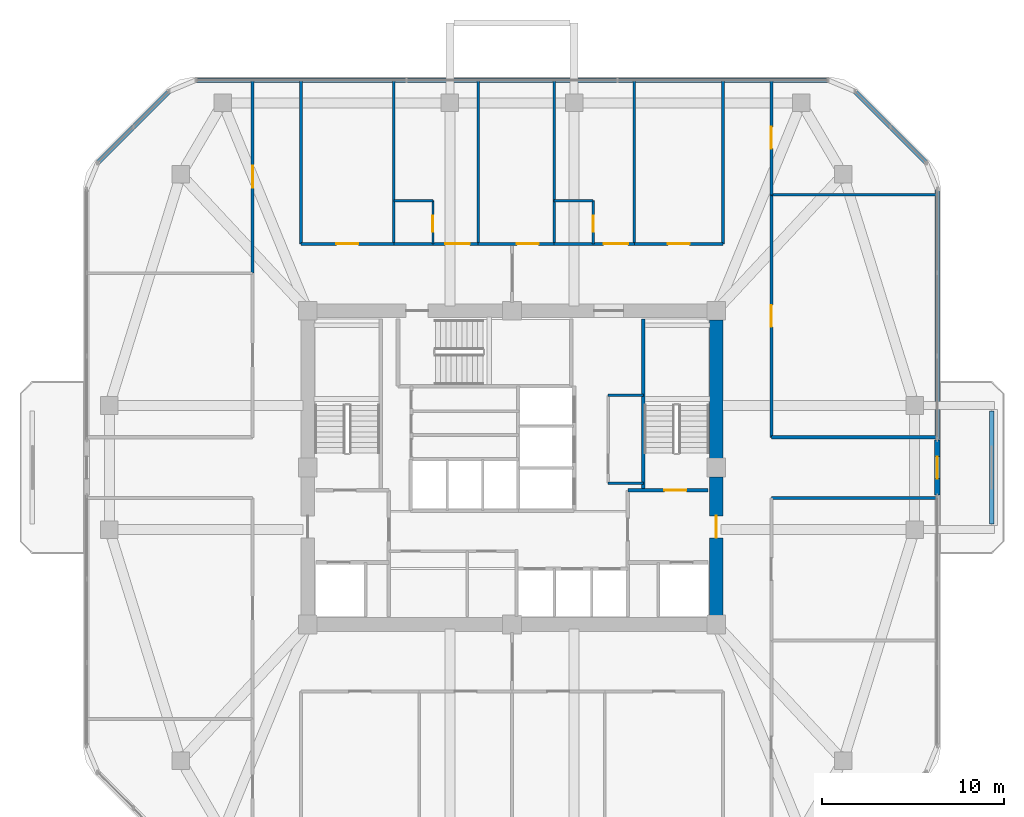
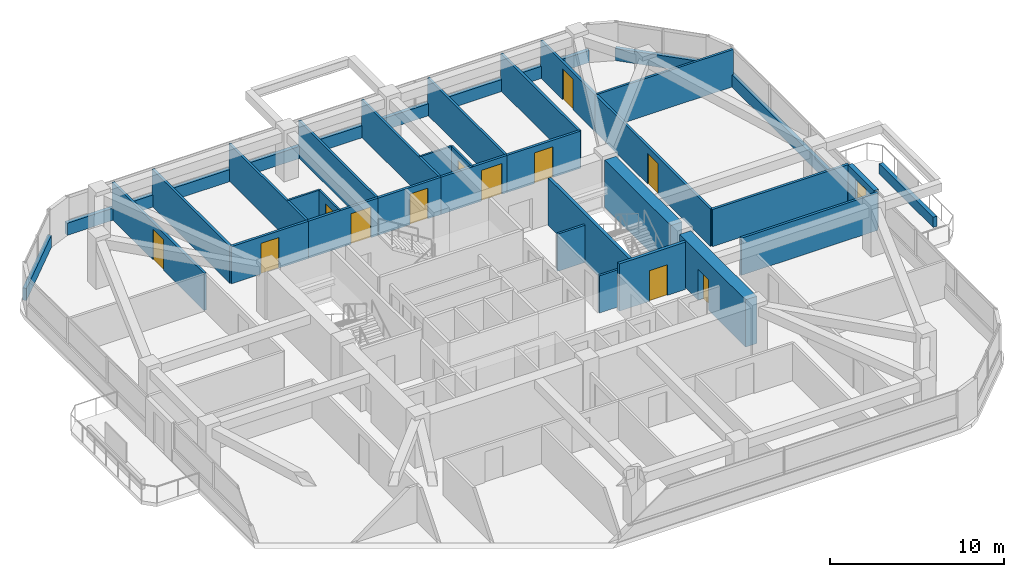
# One storey, part 10 of 13: 33 walls, 13 doors, 13 openings.
"""IFC4 building model written with IfcOpenShell, lengths in metres."""

from ifc_helpers import new_model, si_unit, derived_unit, direction, frame, frame_2d, origin, place, context, subcontext, project, spatial, rectangle, extrude, material, layer, layer_set, type_object, element, fill, save


model = new_model("IFC4")

# Units and contexts
model_context = context("Model", 3, precision=1e-05, world=origin(), true_north=direction((0.0, 1.0)))
body_context = subcontext(model_context, "Body", "Model", "MODEL_VIEW")
ifc_project = project(units=[si_unit("LENGTHUNIT", "METRE"), si_unit("AREAUNIT", "SQUARE_METRE"), si_unit("VOLUMEUNIT", "CUBIC_METRE"), si_unit("PLANEANGLEUNIT", "RADIAN"), si_unit("MASSUNIT", "GRAM", prefix="KILO"), derived_unit("THERMALTRANSMITTANCEUNIT", [(si_unit("POWERUNIT", "WATT"), 1), (si_unit("LENGTHUNIT", "METRE"), -2), (si_unit("THERMODYNAMICTEMPERATUREUNIT", "KELVIN"), -1)])], contexts=[model_context])

# Site, building, storey
site_placement = place(None, origin())
site = spatial("IfcSite", under=ifc_project, at=site_placement, CompositionType="ELEMENT")
building_placement = place(site_placement, origin())
building = spatial("IfcBuilding", under=site, at=building_placement, Name="Koralith Skygarden Medical Center", CompositionType="ELEMENT")
storey_placement = place(building_placement, frame((0.0, 0.0, 142.02001953125)))
storey = spatial("IfcBuildingStorey", under=building, at=storey_placement, Name="L36", CompositionType="ELEMENT", Elevation=142.02001953125)

# Walls
ifc_material_1 = material(Name="Gypsum Board Partition")
ifc_layer_1 = layer(ifc_material_1, 0.14990234375)
ifc_layer_set_1 = layer_set([ifc_layer_1], Name="Gypsum Board Partition")
wall_type_1 = type_object("IfcWallType", Name="Clinical Acoustic Partition 150", PredefinedType="PARTITIONING", material=ifc_layer_set_1)
for number, where, z_axis, x_axis, name in (
    (1, (42.27001953125, 25.0400390625, 0.0), (0.0, 0.0, 1.0), (1.0, 0.0, 0.0), "L36 Clinical Acoustic Partition 150 W-CORE-L36-ESUB-S"),
    (2, (42.27001953125, 29.860107421875, 0.0), (0.0, 0.0, 1.0), (1.0, 0.0, 0.0), "L36 Clinical Acoustic Partition 150 W-CORE-L36-ESUB-N"),
):
    element("IfcWall", number, at=place(storey_placement, frame(where, z_axis=z_axis, x_axis=x_axis)), inside=storey, type_object=wall_type_1, Name=name, PredefinedType="PARTITIONING", context=body_context, shape_type="SweptSolid", body=[
        extrude(rectangle(XDim=1.929931640625, YDim=0.14990234375, at=frame_2d((0.96484375, 0.0))), origin(), (0.0, 0.0, 1.0), 2.60986328125),
    ])
for number, where, z_axis, x_axis, name in (
    (3, (30.52587890625, 38.159912109375, 0.0), (0.0, 0.0, 1.0), (0.0, 1.0, 0.0), "L36 Clinical Acoustic Partition 150 W-PART-L36-N-01"),
    (4, (35.14990234375, 38.159912109375, 0.0), (0.0, 0.0, 1.0), (0.0, 1.0, 0.0), "L36 Clinical Acoustic Partition 150 W-PART-L36-N-02"),
    (5, (39.31201171875, 38.159912109375, 0.0), (0.0, 0.0, 1.0), (0.0, 1.0, 0.0), "L36 Clinical Acoustic Partition 150 W-PART-L36-N-03"),
    (6, (43.705078125, 38.159912109375, 0.0), (0.0, 0.0, 1.0), (0.0, 1.0, 0.0), "L36 Clinical Acoustic Partition 150 W-PART-L36-N-04"),
):
    element("IfcWall", number, at=place(storey_placement, frame(where, z_axis=z_axis, x_axis=x_axis)), inside=storey, type_object=wall_type_1, Name=name, PredefinedType="PARTITIONING", context=body_context, shape_type="SweptSolid", body=[
        extrude(rectangle(XDim=8.940185546875, YDim=0.14990234375, at=frame_2d((4.47021484375, 0.0))), origin(), (0.0, 0.0, 1.0), 2.60986328125),
    ])
wall_1_placement = place(storey_placement, frame((51.2099609375, 40.846923828125, 0.0), z_axis=(0.0, 0.0, 1.0), x_axis=(1.0, 0.0, 0.0)))
element("IfcWall", 7, at=wall_1_placement, inside=storey, type_object=wall_type_1, Name="L36 Clinical Acoustic Partition 150 W-PART-L36-EN-01", PredefinedType="PARTITIONING", context=body_context, shape_type="SweptSolid", body=[
    extrude(rectangle(XDim=9.073974609375, YDim=0.14990234375, at=frame_2d((4.537109375, 0.0))), origin(), (0.0, 0.0, 1.0), 2.60986328125),
])
ifc_layer_2 = layer(ifc_material_1, 0.1650390625)
ifc_layer_set_2 = layer_set([ifc_layer_2], Name="Gypsum Board Partition")
wall_type_2 = type_object("IfcWallType", Name="Clinical Corridor Partition 165", PredefinedType="PARTITIONING", material=ifc_layer_set_2)
for number, where, z_axis, x_axis, name in (
    (8, (25.429931640625, 38.159912109375, 0.0), (0.0, 0.0, 1.0), (0.0, 1.0, 0.0), "L36 Clinical Corridor Partition 165 W-HCOR-L36-NW"),
    (9, (48.570068359375, 38.159912109375, 0.0), (0.0, 0.0, 1.0), (0.0, 1.0, 0.0), "L36 Clinical Corridor Partition 165 W-HCOR-L36-NE"),
):
    element("IfcWall", number, at=place(storey_placement, frame(where, z_axis=z_axis, x_axis=x_axis)), inside=storey, type_object=wall_type_2, Name=name, PredefinedType="PARTITIONING", context=body_context, shape_type="SweptSolid", body=[
        extrude(rectangle(XDim=8.940185546875, YDim=0.1650390625, at=frame_2d((4.47021484375, 0.0))), origin(), (0.0, 0.0, 1.0), 2.60986328125),
    ])
for number, where, z_axis, x_axis, name in (
    (10, (51.2099609375, 24.239990234375, 0.0), (0.0, 0.0, 1.0), (1.0, 0.0, 0.0), "L36 Clinical Corridor Partition 165 W-HCOR-L36-EWS-E"),
    (11, (51.2099609375, 27.56005859375, 0.0), (0.0, 0.0, 1.0), (1.0, 0.0, 0.0), "L36 Clinical Corridor Partition 165 W-HCOR-L36-EWN-E"),
):
    element("IfcWall", number, at=place(storey_placement, frame(where, z_axis=z_axis, x_axis=x_axis)), inside=storey, type_object=wall_type_2, Name=name, PredefinedType="PARTITIONING", context=body_context, shape_type="SweptSolid", body=[
        extrude(rectangle(XDim=9.073974609375, YDim=0.1650390625, at=frame_2d((4.537109375, 0.0))), origin(), (0.0, 0.0, 1.0), 2.60986328125),
    ])

# Wall, opening, door
wall_2_placement = place(storey_placement, frame((25.429931640625, 38.159912109375, 0.0), z_axis=(0.0, 0.0, 1.0), x_axis=(1.0, 0.0, 0.0)))
wall_2 = element("IfcWall", 12, at=wall_2_placement, inside=storey, type_object=wall_type_2, Name="L36 Clinical Corridor Partition 165 W-CORR-L36-N-01", PredefinedType="PARTITIONING", context=body_context, shape_type="SweptSolid", body=[
    extrude(rectangle(XDim=5.095947265625, YDim=0.1650390625, at=frame_2d((2.5478515625, 0.0))), origin(), (0.0, 0.0, 1.0), 2.60986328125),
])
opening_1_placement = place(wall_2_placement, frame((1.947998046875, 0.0, 0.0)))
opening_1 = element("IfcOpeningElement", 13, at=opening_1_placement, cuts=wall_2, Name="Opening D-CLN", PredefinedType="OPENING", context=body_context, shape_type="SweptSolid", body=[
    extrude(rectangle(XDim=1.199951171875, YDim=2.14990234375, at=frame_2d((0.60009765625, 1.074951171875))), frame((0.0, 0.092529296875, 0.0), z_axis=(0.0, -1.0, 0.0), x_axis=(1.0, 0.0, 0.0)), (0.0, 0.0, 1.0), 0.18505859375),
])
ifc_material_2 = material(Name="Aluminium 6063-T6", Category="aluminium")
door_type_1 = type_object("IfcDoorType", Name="Clinical Corridor Door D-CLN 1200", OperationType="NOTDEFINED", PredefinedType="DOOR", material=ifc_material_2)
door_1_placement = place(opening_1_placement, origin())
door_1 = element("IfcDoor", 14, at=door_1_placement, inside=storey, type_object=door_type_1, Name="L36 Procedure and Minor Treatment Room 01 Door", OperationType="SINGLE_SWING_RIGHT", OverallHeight=2.14990234375, OverallWidth=1.199951171875, PredefinedType="DOOR", context=body_context, shape_type="SweptSolid", body=[
    extrude(rectangle(XDim=1.199951171875, YDim=2.14990234375, at=frame_2d((0.60009765625, 1.074951171875))), frame((0.0, 0.02490234375, 0.0), z_axis=(0.0, -1.0, 0.0), x_axis=(1.0, 0.0, 0.0)), (0.0, 0.0, 1.0), 0.050048828125),
])
fill(opening_1, door_1)

wall_3_placement = place(storey_placement, frame((30.52587890625, 38.159912109375, 0.0), z_axis=(0.0, 0.0, 1.0), x_axis=(1.0, 0.0, 0.0)))
wall_3 = element("IfcWall", 15, at=wall_3_placement, inside=storey, type_object=wall_type_2, Name="L36 Clinical Corridor Partition 165 W-CORR-L36-N-02", PredefinedType="PARTITIONING", context=body_context, shape_type="SweptSolid", body=[
    extrude(rectangle(XDim=4.6240234375, YDim=0.1650390625, at=frame_2d((2.31201171875, 0.0))), origin(), (0.0, 0.0, 1.0), 2.60986328125),
])
opening_2_placement = place(wall_3_placement, frame((2.81005859375, 0.0, 0.0)))
opening_2 = element("IfcOpeningElement", 16, at=opening_2_placement, cuts=wall_3, Name="Opening D-BED", PredefinedType="OPENING", context=body_context, shape_type="SweptSolid", body=[
    extrude(rectangle(XDim=1.35009765625, YDim=2.14990234375, at=frame_2d((0.675048828125, 1.074951171875))), frame((0.0, 0.092529296875, 0.0), z_axis=(0.0, -1.0, 0.0), x_axis=(1.0, 0.0, 0.0)), (0.0, 0.0, 1.0), 0.18505859375),
])
door_type_2 = type_object("IfcDoorType", Name="Inpatient Bed Leaf Door D-BED 1350", OperationType="NOTDEFINED", PredefinedType="DOOR", material=ifc_material_2)
door_2_placement = place(opening_2_placement, origin())
door_2 = element("IfcDoor", 17, at=door_2_placement, inside=storey, type_object=door_type_2, Name="L36 Inpatient Bedroom 02 Door", OperationType="SINGLE_SWING_LEFT", OverallHeight=2.14990234375, OverallWidth=1.35009765625, PredefinedType="DOOR", context=body_context, shape_type="SweptSolid", body=[
    extrude(rectangle(XDim=1.35009765625, YDim=2.14990234375, at=frame_2d((0.675048828125, 1.074951171875))), frame((0.0, 0.02490234375, 0.0), z_axis=(0.0, -1.0, 0.0), x_axis=(1.0, 0.0, 0.0)), (0.0, 0.0, 1.0), 0.050048828125),
])
fill(opening_2, door_2)

wall_4_placement = place(storey_placement, frame((35.14990234375, 38.159912109375, 0.0), z_axis=(0.0, 0.0, 1.0), x_axis=(1.0, 0.0, 0.0)))
wall_4 = element("IfcWall", 18, at=wall_4_placement, inside=storey, type_object=wall_type_2, Name="L36 Clinical Corridor Partition 165 W-CORR-L36-N-03", PredefinedType="PARTITIONING", context=body_context, shape_type="SweptSolid", body=[
    extrude(rectangle(XDim=4.162109375, YDim=0.1650390625, at=frame_2d((2.0810546875, 0.0))), origin(), (0.0, 0.0, 1.0), 2.60986328125),
])
opening_3_placement = place(wall_4_placement, frame((2.114990234375, 0.0, 0.0)))
opening_3 = element("IfcOpeningElement", 19, at=opening_3_placement, cuts=wall_4, Name="Opening D-CLN", PredefinedType="OPENING", context=body_context, shape_type="SweptSolid", body=[
    extrude(rectangle(XDim=1.199951171875, YDim=2.14990234375, at=frame_2d((0.60009765625, 1.074951171875))), frame((0.0, 0.092529296875, 0.0), z_axis=(0.0, -1.0, 0.0), x_axis=(1.0, 0.0, 0.0)), (0.0, 0.0, 1.0), 0.18505859375),
])
door_3_placement = place(opening_3_placement, origin())
door_3 = element("IfcDoor", 20, at=door_3_placement, inside=storey, type_object=door_type_1, Name="L36 Wound Care Treatment Room 03 Door", OperationType="SINGLE_SWING_RIGHT", OverallHeight=2.14990234375, OverallWidth=1.199951171875, PredefinedType="DOOR", context=body_context, shape_type="SweptSolid", body=[
    extrude(rectangle(XDim=1.199951171875, YDim=2.14990234375, at=frame_2d((0.60009765625, 1.074951171875))), frame((0.0, 0.02490234375, 0.0), z_axis=(0.0, -1.0, 0.0), x_axis=(1.0, 0.0, 0.0)), (0.0, 0.0, 1.0), 0.050048828125),
])
fill(opening_3, door_3)

wall_5_placement = place(storey_placement, frame((39.31201171875, 38.159912109375, 0.0), z_axis=(0.0, 0.0, 1.0), x_axis=(1.0, 0.0, 0.0)))
wall_5 = element("IfcWall", 21, at=wall_5_placement, inside=storey, type_object=wall_type_2, Name="L36 Clinical Corridor Partition 165 W-CORR-L36-N-04", PredefinedType="PARTITIONING", context=body_context, shape_type="SweptSolid", body=[
    extrude(rectangle(XDim=4.39306640625, YDim=0.1650390625, at=frame_2d((2.196533203125, 0.0))), origin(), (0.0, 0.0, 1.0), 2.60986328125),
])
opening_4_placement = place(wall_5_placement, frame((2.702880859375, 0.0, 0.0)))
opening_4 = element("IfcOpeningElement", 22, at=opening_4_placement, cuts=wall_5, Name="Opening D-BED", PredefinedType="OPENING", context=body_context, shape_type="SweptSolid", body=[
    extrude(rectangle(XDim=1.35009765625, YDim=2.14990234375, at=frame_2d((0.675048828125, 1.074951171875))), frame((0.0, 0.092529296875, 0.0), z_axis=(0.0, -1.0, 0.0), x_axis=(1.0, 0.0, 0.0)), (0.0, 0.0, 1.0), 0.18505859375),
])
door_4_placement = place(opening_4_placement, origin())
door_4 = element("IfcDoor", 23, at=door_4_placement, inside=storey, type_object=door_type_2, Name="L36 Inpatient Bedroom 04 Door", OperationType="SINGLE_SWING_LEFT", OverallHeight=2.14990234375, OverallWidth=1.35009765625, PredefinedType="DOOR", context=body_context, shape_type="SweptSolid", body=[
    extrude(rectangle(XDim=1.35009765625, YDim=2.14990234375, at=frame_2d((0.675048828125, 1.074951171875))), frame((0.0, 0.02490234375, 0.0), z_axis=(0.0, -1.0, 0.0), x_axis=(1.0, 0.0, 0.0)), (0.0, 0.0, 1.0), 0.050048828125),
])
fill(opening_4, door_4)

wall_6_placement = place(storey_placement, frame((43.705078125, 38.159912109375, 0.0), z_axis=(0.0, 0.0, 1.0), x_axis=(1.0, 0.0, 0.0)))
wall_6 = element("IfcWall", 24, at=wall_6_placement, inside=storey, type_object=wall_type_2, Name="L36 Clinical Corridor Partition 165 W-CORR-L36-N-05", PredefinedType="PARTITIONING", context=body_context, shape_type="SweptSolid", body=[
    extrude(rectangle(XDim=4.864990234375, YDim=0.1650390625, at=frame_2d((2.4326171875, 0.0))), origin(), (0.0, 0.0, 1.0), 2.60986328125),
])
opening_5_placement = place(wall_6_placement, frame((1.8330078125, 0.0, 0.0)))
opening_5 = element("IfcOpeningElement", 25, at=opening_5_placement, cuts=wall_6, Name="Opening D-CLN", PredefinedType="OPENING", context=body_context, shape_type="SweptSolid", body=[
    extrude(rectangle(XDim=1.199951171875, YDim=2.14990234375, at=frame_2d((0.60009765625, 1.074951171875))), frame((0.0, 0.092529296875, 0.0), z_axis=(0.0, -1.0, 0.0), x_axis=(1.0, 0.0, 0.0)), (0.0, 0.0, 1.0), 0.18505859375),
])
door_5_placement = place(opening_5_placement, origin())
door_5 = element("IfcDoor", 26, at=door_5_placement, inside=storey, type_object=door_type_1, Name="L36 Acute Nurse Station 05 Door", OperationType="SINGLE_SWING_RIGHT", OverallHeight=2.14990234375, OverallWidth=1.199951171875, PredefinedType="DOOR", context=body_context, shape_type="SweptSolid", body=[
    extrude(rectangle(XDim=1.199951171875, YDim=2.14990234375, at=frame_2d((0.60009765625, 1.074951171875))), frame((0.0, 0.02490234375, 0.0), z_axis=(0.0, -1.0, 0.0), x_axis=(1.0, 0.0, 0.0)), (0.0, 0.0, 1.0), 0.050048828125),
])
fill(opening_5, door_5)

wall_7_placement = place(storey_placement, frame((22.7900390625, 36.548095703125, 0.0), z_axis=(0.0, 0.0, 1.0), x_axis=(0.0, 1.0, 0.0)))
wall_7 = element("IfcWall", 27, at=wall_7_placement, inside=storey, type_object=wall_type_2, Name="L36 Clinical Corridor Partition 165 W-CORR-L36-WN-02", PredefinedType="PARTITIONING", context=body_context, shape_type="SweptSolid", body=[
    extrude(rectangle(XDim=10.552001953125, YDim=0.1650390625, at=frame_2d((5.27587890625, 0.0))), origin(), (0.0, 0.0, 1.0), 2.60986328125),
])
opening_6_placement = place(wall_7_placement, frame((4.676025390625, 0.0, 0.0)))
opening_6 = element("IfcOpeningElement", 28, at=opening_6_placement, cuts=wall_7, Name="Opening D-CLN", PredefinedType="OPENING", context=body_context, shape_type="SweptSolid", body=[
    extrude(rectangle(XDim=1.199951171875, YDim=2.14990234375, at=frame_2d((0.60009765625, 1.074951171875))), frame((0.0, 0.092529296875, 0.0), z_axis=(0.0, -1.0, 0.0), x_axis=(1.0, 0.0, 0.0)), (0.0, 0.0, 1.0), 0.18505859375),
])
door_6_placement = place(opening_6_placement, frame((1.199951171875, 0.0, 0.0), z_axis=(0.0, 0.0, 1.0), x_axis=(-1.0, 0.0, 0.0)))
door_6 = element("IfcDoor", 29, at=door_6_placement, inside=storey, type_object=door_type_1, Name="L36 Acute Nurse Station 13 Door", OperationType="SINGLE_SWING_RIGHT", OverallHeight=2.14990234375, OverallWidth=1.199951171875, PredefinedType="DOOR", context=body_context, shape_type="SweptSolid", body=[
    extrude(rectangle(XDim=1.199951171875, YDim=2.14990234375, at=frame_2d((0.60009765625, 1.074951171875))), frame((0.0, 0.02490234375, 0.0), z_axis=(0.0, -1.0, 0.0), x_axis=(1.0, 0.0, 0.0)), (0.0, 0.0, 1.0), 0.050048828125),
])
fill(opening_6, door_6)

wall_8_placement = place(storey_placement, frame((51.2099609375, 27.56005859375, 0.0), z_axis=(0.0, 0.0, 1.0), x_axis=(0.0, 1.0, 0.0)))
wall_8 = element("IfcWall", 30, at=wall_8_placement, inside=storey, type_object=wall_type_2, Name="L36 Clinical Corridor Partition 165 W-CORR-L36-EN-01", PredefinedType="PARTITIONING", context=body_context, shape_type="SweptSolid", body=[
    extrude(rectangle(XDim=13.286865234375, YDim=0.1650390625, at=frame_2d((6.6435546875, 0.0))), origin(), (0.0, 0.0, 1.0), 2.60986328125),
])
opening_7_placement = place(wall_8_placement, frame((6.0439453125, 0.0, 0.0)))
opening_7 = element("IfcOpeningElement", 31, at=opening_7_placement, cuts=wall_8, Name="Opening D-CLN", PredefinedType="OPENING", context=body_context, shape_type="SweptSolid", body=[
    extrude(rectangle(XDim=1.199951171875, YDim=2.14990234375, at=frame_2d((0.60009765625, 1.074951171875))), frame((0.0, 0.092529296875, 0.0), z_axis=(0.0, -1.0, 0.0), x_axis=(1.0, 0.0, 0.0)), (0.0, 0.0, 1.0), 0.18505859375),
])
door_7_placement = place(opening_7_placement, origin())
door_7 = element("IfcDoor", 32, at=door_7_placement, inside=storey, type_object=door_type_1, Name="L36 Wound Care Treatment Room 16 Door", OperationType="SINGLE_SWING_LEFT", OverallHeight=2.14990234375, OverallWidth=1.199951171875, PredefinedType="DOOR", context=body_context, shape_type="SweptSolid", body=[
    extrude(rectangle(XDim=1.199951171875, YDim=2.14990234375, at=frame_2d((0.60009765625, 1.074951171875))), frame((0.0, 0.02490234375, 0.0), z_axis=(0.0, -1.0, 0.0), x_axis=(1.0, 0.0, 0.0)), (0.0, 0.0, 1.0), 0.050048828125),
])
fill(opening_7, door_7)

wall_9_placement = place(storey_placement, frame((51.2099609375, 40.846923828125, 0.0), z_axis=(0.0, 0.0, 1.0), x_axis=(0.0, 1.0, 0.0)))
wall_9 = element("IfcWall", 33, at=wall_9_placement, inside=storey, type_object=wall_type_2, Name="L36 Clinical Corridor Partition 165 W-CORR-L36-EN-02", PredefinedType="PARTITIONING", context=body_context, shape_type="SweptSolid", body=[
    extrude(rectangle(XDim=6.253173828125, YDim=0.1650390625, at=frame_2d((3.12646484375, 0.0))), origin(), (0.0, 0.0, 1.0), 2.60986328125),
])
opening_8_placement = place(wall_9_placement, frame((2.52587890625, 0.0, 0.0)))
opening_8 = element("IfcOpeningElement", 34, at=opening_8_placement, cuts=wall_9, Name="Opening D-CLN", PredefinedType="OPENING", context=body_context, shape_type="SweptSolid", body=[
    extrude(rectangle(XDim=1.199951171875, YDim=2.14990234375, at=frame_2d((0.60009765625, 1.074951171875))), frame((0.0, 0.092529296875, 0.0), z_axis=(0.0, -1.0, 0.0), x_axis=(1.0, 0.0, 0.0)), (0.0, 0.0, 1.0), 0.18505859375),
])
door_8_placement = place(opening_8_placement, origin())
door_8 = element("IfcDoor", 35, at=door_8_placement, inside=storey, type_object=door_type_1, Name="L36 Acute Nurse Station 17 Door", OperationType="SINGLE_SWING_RIGHT", OverallHeight=2.14990234375, OverallWidth=1.199951171875, PredefinedType="DOOR", context=body_context, shape_type="SweptSolid", body=[
    extrude(rectangle(XDim=1.199951171875, YDim=2.14990234375, at=frame_2d((0.60009765625, 1.074951171875))), frame((0.0, 0.02490234375, 0.0), z_axis=(0.0, -1.0, 0.0), x_axis=(1.0, 0.0, 0.0)), (0.0, 0.0, 1.0), 0.050048828125),
])
fill(opening_8, door_8)

# Walls
ifc_material_3 = material(Name="Warm Oolitic Limestone Cladding", Category="masonry")
ifc_layer_3 = layer(ifc_material_3, 0.239990234375)
ifc_layer_set_3 = layer_set([ifc_layer_3], Name="Warm Oolitic Limestone Cladding")
wall_type_3 = type_object("IfcWallType", Name="Limestone Spandrel Sill Backup Wall 240", PredefinedType="SOLIDWALL", material=ifc_layer_set_3)
wall_10_placement = place(storey_placement, frame((60.303955078125, 27.43994140625, 0.0), z_axis=(0.0, 0.0, 1.0), x_axis=(0.0, 1.0, 0.0)))
element("IfcWall", 36, at=wall_10_placement, inside=storey, type_object=wall_type_3, Name="L36 Sill Spandrel E-R", PredefinedType="SOLIDWALL", context=body_context, shape_type="SweptSolid", body=[
    extrude(rectangle(XDim=13.705078125, YDim=0.239990234375, at=frame_2d((6.8525390625, 0.0))), origin(), (0.0, 0.0, 1.0), 0.85009765625),
])
wall_11_placement = place(storey_placement, frame((59.702880859375, 42.595947265625, 0.0), z_axis=(0.0, 0.0, 1.0), x_axis=(-0.707084777957, 0.707128783731, 0.0)))
element("IfcWall", 37, at=wall_11_placement, inside=storey, type_object=wall_type_3, Name="L36 Sill Spandrel NE", PredefinedType="SOLIDWALL", context=body_context, shape_type="SweptSolid", body=[
    extrude(rectangle(XDim=5.5478515625, YDim=0.239990234375, at=frame_2d((2.77392578125, 0.0))), origin(), (0.0, 0.0, 1.0), 0.85009765625),
])
wall_12_placement = place(storey_placement, frame((54.3291015625, 47.1201171875, 0.0), z_axis=(0.0, 0.0, 1.0), x_axis=(-1.0, 0.0, 0.0)))
element("IfcWall", 38, at=wall_12_placement, inside=storey, type_object=wall_type_3, Name="L36 Sill Spandrel N", PredefinedType="SOLIDWALL", context=body_context, shape_type="SweptSolid", body=[
    extrude(rectangle(XDim=34.658203125, YDim=0.239990234375, at=frame_2d((17.3291015625, 0.0))), origin(), (0.0, 0.0, 1.0), 0.85009765625),
])
wall_13_placement = place(storey_placement, frame((18.219970703125, 46.51904296875, 0.0), z_axis=(0.0, 0.0, 1.0), x_axis=(-0.707084777957, -0.707128783731, 0.0)))
element("IfcWall", 39, at=wall_13_placement, inside=storey, type_object=wall_type_3, Name="L36 Sill Spandrel NW", PredefinedType="SOLIDWALL", context=body_context, shape_type="SweptSolid", body=[
    extrude(rectangle(XDim=5.5478515625, YDim=0.239990234375, at=frame_2d((2.77392578125, 0.0))), origin(), (0.0, 0.0, 1.0), 0.85009765625),
])

# Wall, opening, door
ifc_material_4 = material(Name="Concrete C70/85", Category="concrete")
ifc_layer_4 = layer(ifc_material_4, 0.75)
ifc_layer_set_4 = layer_set([ifc_layer_4], Name="Concrete C70/85")
wall_type_4 = type_object("IfcWallType", Name="Mid Core Shear Wall 750", PredefinedType="SHEAR", material=ifc_layer_set_4)
wall_14_placement = place(storey_placement, frame((48.199951171875, 17.804931640625, 0.0), z_axis=(0.0, 0.0, 1.0), x_axis=(0.0, 1.0, 0.0)))
wall_14 = element("IfcWall", 40, at=wall_14_placement, inside=storey, type_object=wall_type_4, Name="L36 Core Shear Wall Segment 3", PredefinedType="SHEAR", context=body_context, shape_type="SweptSolid", body=[
    extrude(rectangle(XDim=7.590087890625, YDim=0.75, at=frame_2d((3.794921875, 0.0))), origin(), (0.0, 0.0, 1.0), 3.320068359375),
])
opening_9_placement = place(wall_14_placement, frame((4.2451171875, 0.0, 0.0)))
opening_9 = element("IfcOpeningElement", 41, at=opening_9_placement, cuts=wall_14, Name="Opening D-ST60", PredefinedType="OPENING", context=body_context, shape_type="SweptSolid", body=[
    extrude(rectangle(XDim=1.199951171875, YDim=2.14990234375, at=frame_2d((0.60009765625, 1.074951171875))), frame((0.0, 0.385009765625, 0.0), z_axis=(0.0, -1.0, 0.0), x_axis=(1.0, 0.0, 0.0)), (0.0, 0.0, 1.0), 0.77001953125),
])
ifc_material_5 = material(Name="Steel ASTM A500 Grade C", Category="steel")
door_type_3 = type_object("IfcDoorType", Name="Smokeproof Stair Fire Door FD60S 1200", OperationType="NOTDEFINED", PredefinedType="DOOR", material=ifc_material_5)
door_9_placement = place(opening_9_placement, frame((1.199951171875, 0.0, 0.0), z_axis=(0.0, 0.0, 1.0), x_axis=(-1.0, 0.0, 0.0)))
door_9 = element("IfcDoor", 42, at=door_9_placement, inside=storey, type_object=door_type_3, Name="L36 East Corridor to Firefighting Lobby Door", OperationType="SINGLE_SWING_RIGHT", OverallHeight=2.14990234375, OverallWidth=1.199951171875, PredefinedType="DOOR", context=body_context, shape_type="SweptSolid", body=[
    extrude(rectangle(XDim=1.199951171875, YDim=2.14990234375, at=frame_2d((0.60009765625, 1.074951171875))), frame((0.0, 0.02490234375, 0.0), z_axis=(0.0, -1.0, 0.0), x_axis=(1.0, 0.0, 0.0)), (0.0, 0.0, 1.0), 0.050048828125),
])
fill(opening_9, door_9)

# Wall
wall_15_placement = place(storey_placement, frame((48.199951171875, 26.405029296875, 0.0), z_axis=(0.0, 0.0, 1.0), x_axis=(0.0, 1.0, 0.0)))
element("IfcWall", 43, at=wall_15_placement, inside=storey, type_object=wall_type_4, Name="L36 Core Shear Wall Segment 4", PredefinedType="SHEAR", context=body_context, shape_type="SweptSolid", body=[
    extrude(rectangle(XDim=7.590087890625, YDim=0.75, at=frame_2d((3.794921875, 0.0))), origin(), (0.0, 0.0, 1.0), 3.320068359375),
])

# Wall, opening, door
ifc_layer_5 = layer(ifc_material_3, 0.300048828125)
ifc_layer_set_5 = layer_set([ifc_layer_5], Name="Warm Oolitic Limestone Cladding")
wall_type_5 = type_object("IfcWallType", Name="Oolitic Limestone Insulated Facade Wall 300", PredefinedType="SOLIDWALL", material=ifc_layer_set_5)
wall_16_placement = place(storey_placement, frame((60.303955078125, 24.39990234375, 0.0), z_axis=(0.0, 0.0, 1.0), x_axis=(0.0, 1.0, 0.0)))
wall_16 = element("IfcWall", 44, at=wall_16_placement, inside=storey, type_object=wall_type_5, Name="L36 Terrace Portal Wall E", PredefinedType="SOLIDWALL", context=body_context, shape_type="SweptSolid", body=[
    extrude(rectangle(XDim=3.0, YDim=0.300048828125, at=frame_2d((1.5, 0.0))), origin(), (0.0, 0.0, 1.0), 2.669921875),
])
opening_10_placement = place(wall_16_placement, frame((0.89990234375, 0.0, 0.0)))
opening_10 = element("IfcOpeningElement", 45, at=opening_10_placement, cuts=wall_16, Name="Opening D-BAL", PredefinedType="OPENING", context=body_context, shape_type="SweptSolid", body=[
    extrude(rectangle(XDim=1.199951171875, YDim=2.199951171875, at=frame_2d((0.60009765625, 1.10009765625))), frame((0.0, 0.159912109375, 0.0), z_axis=(0.0, -1.0, 0.0), x_axis=(1.0, 0.0, 0.0)), (0.0, 0.0, 1.0), 0.320068359375),
])
door_type_4 = type_object("IfcDoorType", Name="Planted Balcony Glazed Terrace Door D-BAL 1200", OperationType="NOTDEFINED", PredefinedType="DOOR", material=ifc_material_2)
door_10_placement = place(opening_10_placement, origin())
door_10 = element("IfcDoor", 46, at=door_10_placement, inside=storey, type_object=door_type_4, Name="L36 E Outdoor Terrace Access Door", OperationType="SINGLE_SWING_LEFT", OverallHeight=2.199951171875, OverallWidth=1.199951171875, PredefinedType="DOOR", context=body_context, shape_type="SweptSolid", body=[
    extrude(rectangle(XDim=1.199951171875, YDim=2.199951171875, at=frame_2d((0.60009765625, 1.10009765625))), frame((0.0, 0.02490234375, 0.0), z_axis=(0.0, -1.0, 0.0), x_axis=(1.0, 0.0, 0.0)), (0.0, 0.0, 1.0), 0.050048828125),
])
fill(opening_10, door_10)

ifc_layer_6 = layer(ifc_material_1, 0.1201171875)
ifc_layer_set_6 = layer_set([ifc_layer_6], Name="Gypsum Board Partition")
wall_type_6 = type_object("IfcWallType", Name="Plumbing Wet Wall 120", PredefinedType="PLUMBINGWALL", material=ifc_layer_set_6)
wall_17_placement = place(storey_placement, frame((32.666015625, 38.159912109375, 0.0), z_axis=(0.0, 0.0, 1.0), x_axis=(0.0, 1.0, 0.0)))
wall_17 = element("IfcWall", 47, at=wall_17_placement, inside=storey, type_object=wall_type_6, Name="L36 Plumbing Wet Wall 120 W-ENS-L36-02A", PredefinedType="PLUMBINGWALL", context=body_context, shape_type="SweptSolid", body=[
    extrude(rectangle(XDim=2.360107421875, YDim=0.1201171875, at=frame_2d((1.18017578125, 0.0))), origin(), (0.0, 0.0, 1.0), 2.60986328125),
])
opening_11_placement = place(wall_17_placement, frame((0.64990234375, 0.0, 0.0)))
opening_11 = element("IfcOpeningElement", 48, at=opening_11_placement, cuts=wall_17, Name="Opening D-ENS", PredefinedType="OPENING", context=body_context, shape_type="SweptSolid", body=[
    extrude(rectangle(XDim=0.89990234375, YDim=2.10009765625, at=frame_2d((0.449951171875, 1.050048828125))), frame((0.0, 0.070068359375, 0.0), z_axis=(0.0, -1.0, 0.0), x_axis=(1.0, 0.0, 0.0)), (0.0, 0.0, 1.0), 0.14013671875),
])
door_type_5 = type_object("IfcDoorType", Name="En-Suite Bathroom Door D-ENS 900", OperationType="NOTDEFINED", PredefinedType="DOOR", material=ifc_material_2)
door_11_placement = place(opening_11_placement, frame((0.89990234375, 0.0, 0.0), z_axis=(0.0, 0.0, 1.0), x_axis=(-1.0, 0.0, 0.0)))
door_11 = element("IfcDoor", 49, at=door_11_placement, inside=storey, type_object=door_type_5, Name="L36 En-Suite 02 Door", OperationType="SINGLE_SWING_LEFT", OverallHeight=2.10009765625, OverallWidth=0.89990234375, PredefinedType="DOOR", context=body_context, shape_type="SweptSolid", body=[
    extrude(rectangle(XDim=0.89990234375, YDim=2.10009765625, at=frame_2d((0.449951171875, 1.050048828125))), frame((0.0, 0.02490234375, 0.0), z_axis=(0.0, -1.0, 0.0), x_axis=(1.0, 0.0, 0.0)), (0.0, 0.0, 1.0), 0.050048828125),
])
fill(opening_11, door_11)

# Wall
wall_18_placement = place(storey_placement, frame((30.52587890625, 40.52001953125, 0.0), z_axis=(0.0, 0.0, 1.0), x_axis=(1.0, 0.0, 0.0)))
element("IfcWall", 50, at=wall_18_placement, inside=storey, type_object=wall_type_6, Name="L36 Plumbing Wet Wall 120 W-ENS-L36-02B", PredefinedType="PLUMBINGWALL", context=body_context, shape_type="SweptSolid", body=[
    extrude(rectangle(XDim=2.14013671875, YDim=0.1201171875, at=frame_2d((1.070068359375, 0.0))), origin(), (0.0, 0.0, 1.0), 2.60986328125),
])

# Wall, opening, door
wall_19_placement = place(storey_placement, frame((41.451904296875, 38.159912109375, 0.0), z_axis=(0.0, 0.0, 1.0), x_axis=(0.0, 1.0, 0.0)))
wall_19 = element("IfcWall", 51, at=wall_19_placement, inside=storey, type_object=wall_type_6, Name="L36 Plumbing Wet Wall 120 W-ENS-L36-04A", PredefinedType="PLUMBINGWALL", context=body_context, shape_type="SweptSolid", body=[
    extrude(rectangle(XDim=2.360107421875, YDim=0.1201171875, at=frame_2d((1.18017578125, 0.0))), origin(), (0.0, 0.0, 1.0), 2.60986328125),
])
opening_12_placement = place(wall_19_placement, frame((0.64990234375, 0.0, 0.0)))
opening_12 = element("IfcOpeningElement", 52, at=opening_12_placement, cuts=wall_19, Name="Opening D-ENS", PredefinedType="OPENING", context=body_context, shape_type="SweptSolid", body=[
    extrude(rectangle(XDim=0.89990234375, YDim=2.10009765625, at=frame_2d((0.449951171875, 1.050048828125))), frame((0.0, 0.070068359375, 0.0), z_axis=(0.0, -1.0, 0.0), x_axis=(1.0, 0.0, 0.0)), (0.0, 0.0, 1.0), 0.14013671875),
])
door_12_placement = place(opening_12_placement, frame((0.89990234375, 0.0, 0.0), z_axis=(0.0, 0.0, 1.0), x_axis=(-1.0, 0.0, 0.0)))
door_12 = element("IfcDoor", 53, at=door_12_placement, inside=storey, type_object=door_type_5, Name="L36 En-Suite 04 Door", OperationType="SINGLE_SWING_LEFT", OverallHeight=2.10009765625, OverallWidth=0.89990234375, PredefinedType="DOOR", context=body_context, shape_type="SweptSolid", body=[
    extrude(rectangle(XDim=0.89990234375, YDim=2.10009765625, at=frame_2d((0.449951171875, 1.050048828125))), frame((0.0, 0.02490234375, 0.0), z_axis=(0.0, -1.0, 0.0), x_axis=(1.0, 0.0, 0.0)), (0.0, 0.0, 1.0), 0.050048828125),
])
fill(opening_12, door_12)

# Walls
wall_20_placement = place(storey_placement, frame((39.31201171875, 40.52001953125, 0.0), z_axis=(0.0, 0.0, 1.0), x_axis=(1.0, 0.0, 0.0)))
element("IfcWall", 54, at=wall_20_placement, inside=storey, type_object=wall_type_6, Name="L36 Plumbing Wet Wall 120 W-ENS-L36-04B", PredefinedType="PLUMBINGWALL", context=body_context, shape_type="SweptSolid", body=[
    extrude(rectangle(XDim=2.139892578125, YDim=0.1201171875, at=frame_2d((1.06982421875, 0.0))), origin(), (0.0, 0.0, 1.0), 2.60986328125),
])
ifc_material_6 = material(Name="Precast concrete C40/50", Category="concrete")
ifc_layer_7 = layer(ifc_material_6, 0.25)
ifc_layer_set_7 = layer_set([ifc_layer_7], Name="Precast concrete C40/50")
wall_type_7 = type_object("IfcWallType", Name="Structural Concrete Balcony Planter Kerb 250", PredefinedType="PARAPET", material=ifc_layer_set_7)
wall_21_placement = place(storey_placement, frame((63.283935546875, 22.800048828125, 0.0), z_axis=(0.0, 0.0, 1.0), x_axis=(0.0, 1.0, 0.0)))
element("IfcWall", 55, at=wall_21_placement, inside=storey, type_object=wall_type_7, Name="L36 E Structural Tree PLANTER Box", PredefinedType="PARAPET", context=body_context, shape_type="SweptSolid", body=[
    extrude(rectangle(XDim=6.199951171875, YDim=0.25, at=frame_2d((3.10009765625, 0.0))), origin(), (0.0, 0.0, 1.0), 0.719970703125),
])
ifc_material_7 = material(Name="Concrete C45/55", Category="concrete")
ifc_layer_8 = layer(ifc_material_7, 0.199951171875)
ifc_layer_set_8 = layer_set([ifc_layer_8], Name="Concrete C45/55")
wall_type_8 = type_object("IfcWallType", Name="Structural Stair Shaft Wall 200", PredefinedType="SHEAR", material=ifc_layer_set_8)
wall_22_placement = place(storey_placement, frame((44.199951171875, 24.64990234375, 0.0), z_axis=(0.0, 0.0, 1.0), x_axis=(0.0, 1.0, 0.0)))
element("IfcWall", 56, at=wall_22_placement, inside=storey, type_object=wall_type_8, Name="L36 Structural Stair Shaft Wall 200 W-CORE-L36-ST2-W", PredefinedType="SHEAR", context=body_context, shape_type="SweptSolid", body=[
    extrude(rectangle(XDim=9.400146484375, YDim=0.199951171875, at=frame_2d((4.7001953125, 0.0))), origin(), (0.0, 0.0, 1.0), 3.320068359375),
])

# Wall, opening, door
wall_23_placement = place(storey_placement, frame((43.35009765625, 24.64990234375, 0.0), z_axis=(0.0, 0.0, 1.0), x_axis=(1.0, 0.0, 0.0)))
wall_23 = element("IfcWall", 57, at=wall_23_placement, inside=storey, type_object=wall_type_8, Name="L36 Structural Stair Shaft Wall 200 W-CORE-L36-ST2-S", PredefinedType="SHEAR", context=body_context, shape_type="SweptSolid", body=[
    extrude(rectangle(XDim=4.39990234375, YDim=0.199951171875, at=frame_2d((2.199951171875, 0.0))), origin(), (0.0, 0.0, 1.0), 3.320068359375),
])
opening_13_placement = place(wall_23_placement, frame((2.0, 0.0, 0.0)))
opening_13 = element("IfcOpeningElement", 58, at=opening_13_placement, cuts=wall_23, Name="Opening D-ST60", PredefinedType="OPENING", context=body_context, shape_type="SweptSolid", body=[
    extrude(rectangle(XDim=1.199951171875, YDim=2.14990234375, at=frame_2d((0.60009765625, 1.074951171875))), frame((0.0, 0.10986328125, 0.0), z_axis=(0.0, -1.0, 0.0), x_axis=(1.0, 0.0, 0.0)), (0.0, 0.0, 1.0), 0.219970703125),
])
door_13_placement = place(opening_13_placement, origin())
door_13 = element("IfcDoor", 59, at=door_13_placement, inside=storey, type_object=door_type_3, Name="L36 Exit Stair ST2 Fire Door", OperationType="SINGLE_SWING_RIGHT", OverallHeight=2.14990234375, OverallWidth=1.199951171875, PredefinedType="DOOR", context=body_context, shape_type="SweptSolid", body=[
    extrude(rectangle(XDim=1.199951171875, YDim=2.14990234375, at=frame_2d((0.60009765625, 1.074951171875))), frame((0.0, 0.02490234375, 0.0), z_axis=(0.0, -1.0, 0.0), x_axis=(1.0, 0.0, 0.0)), (0.0, 0.0, 1.0), 0.050048828125),
])
fill(opening_13, door_13)

save(model, "model.ifc")
